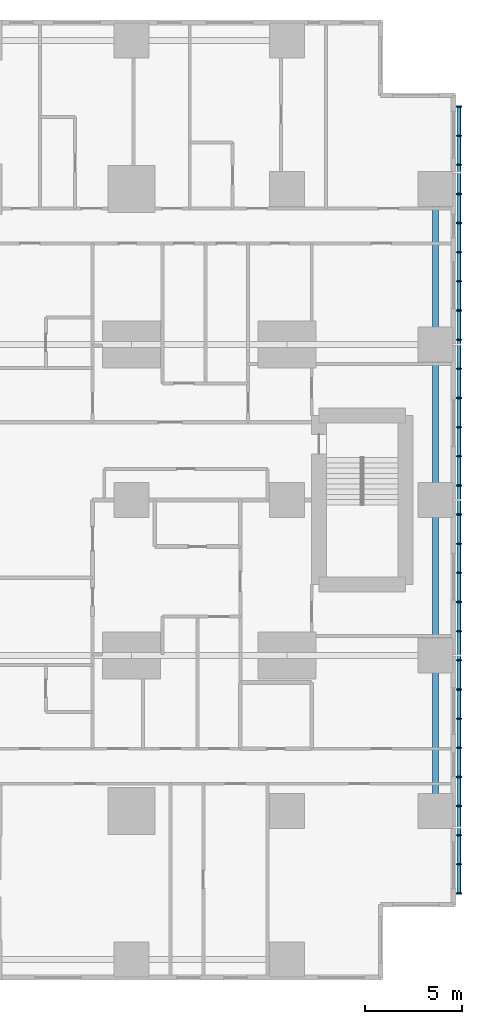
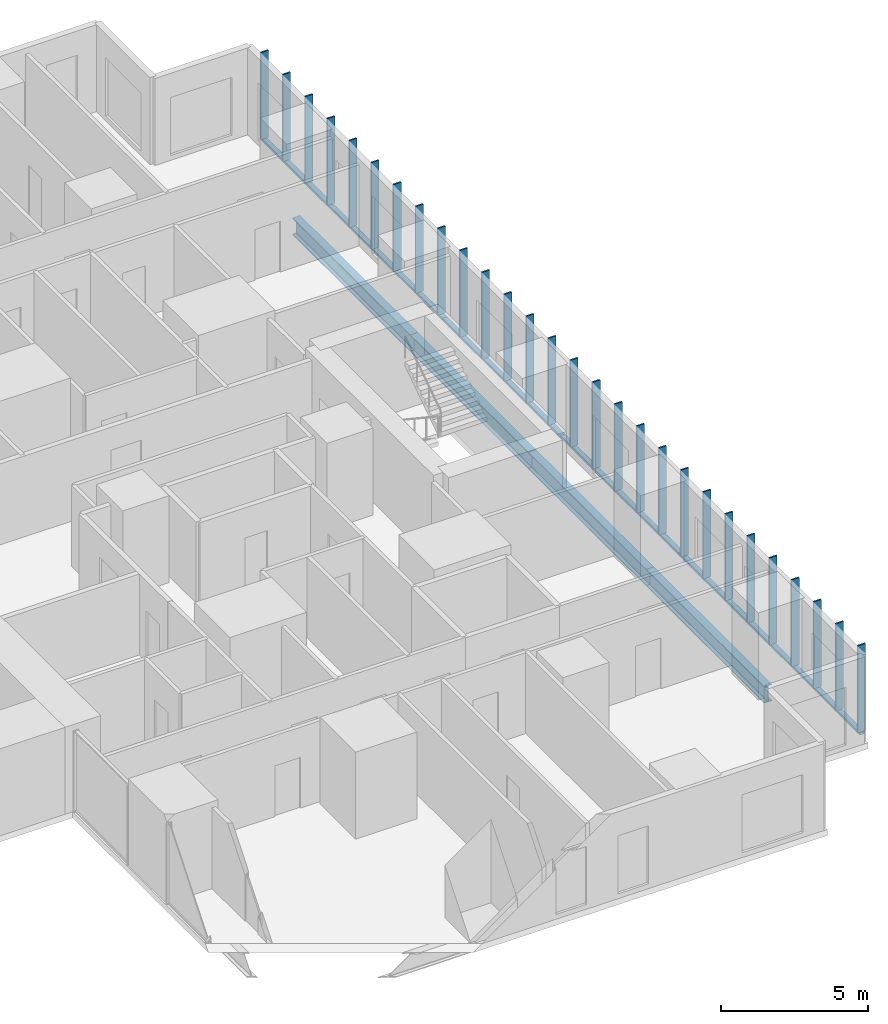
# One storey, part 6 of 20: 32 members, 4 beams.
"""IFC4 building model written with IfcOpenShell, lengths in metres."""

from ifc_helpers import new_model, si_unit, direction, frame, origin, origin_2d, place, context, subcontext, project, spatial, rectangle, hollow_rectangle, i_section, extrude, material, material_profile, profile_set, type_object, element, save


model = new_model("IFC4")

# Units and contexts
model_context = context("Model", 3, precision=1e-05, world=origin(), true_north=direction((0.0, 1.0)))
body_context = subcontext(model_context, "Body", "Model", "MODEL_VIEW")
ifc_project = project(units=[si_unit("LENGTHUNIT", "METRE"), si_unit("AREAUNIT", "SQUARE_METRE"), si_unit("VOLUMEUNIT", "CUBIC_METRE"), si_unit("PLANEANGLEUNIT", "RADIAN"), si_unit("MASSUNIT", "GRAM", prefix="KILO")], contexts=[model_context])

# Site, building, storey
site_placement = place(None, origin())
site = spatial("IfcSite", under=ifc_project, at=site_placement, CompositionType="ELEMENT")
building_placement = place(site_placement, origin())
building = spatial("IfcBuilding", under=site, at=building_placement, Name="Cleftline Residences", CompositionType="ELEMENT")
storey_placement = place(building_placement, frame((0.0, 0.0, 207.39990234375)))
storey = spatial("IfcBuildingStorey", under=building, at=storey_placement, Name="L54", CompositionType="ELEMENT", Elevation=207.39990234375)

# Members
ifc_material_1 = material(Name="Steel S355, hot-dip galvanised", Category="steel")
ifc_material_profile_1 = material_profile(ifc_material_1, hollow_rectangle(XDim=0.10009765625, YDim=0.199951171875, WallThickness=0.008056640625, InnerFilletRadius=0.008056640625, OuterFilletRadius=0.011962890625, at=origin_2d()))
ifc_profile_set_1 = profile_set([ifc_material_profile_1], Name="Steel S355, hot-dip galvanised")
member_type_1 = type_object("IfcMemberType", Name="BAGUETTE CARRIER RHS 200X100X8", PredefinedType="USERDEFINED", material=ifc_profile_set_1)
member_1_placement = place(storey_placement, frame((66.85009765625, 3.699951171875, -0.0498046875), z_axis=(0.0, 1.0, 0.0), x_axis=(0.0, 0.0, 1.0)))
element("IfcMember", 1, at=member_1_placement, inside=storey, type_object=member_type_1, Name="Baguette carrier", ObjectType="BAGUETTE CARRIER", PredefinedType="USERDEFINED", context=body_context, shape_type="SweptSolid", body=[
    extrude(hollow_rectangle(XDim=0.10009765625, YDim=0.199951171875, WallThickness=0.008056640625, InnerFilletRadius=0.008056640625, OuterFilletRadius=0.011962890625, at=origin_2d()), origin(), (0.0, 0.0, 1.0), 12.300048828125),
])
for number, where, z_axis, x_axis, name in (
    (2, (66.85009765625, 16.0, -0.0498046875), (0.0, 1.0, 0.0), (0.0, 0.0, 1.0), "Baguette carrier"),
    (3, (66.85009765625, 24.0, -0.0498046875), (0.0, 1.0, 0.0), (0.0, 0.0, 1.0), "Baguette carrier"),
):
    element("IfcMember", number, at=place(storey_placement, frame(where, z_axis=z_axis, x_axis=x_axis)), inside=storey, type_object=member_type_1, Name=name, ObjectType="BAGUETTE CARRIER", PredefinedType="USERDEFINED", context=body_context, shape_type="SweptSolid", body=[
        extrude(hollow_rectangle(XDim=0.10009765625, YDim=0.199951171875, WallThickness=0.008056640625, InnerFilletRadius=0.008056640625, OuterFilletRadius=0.011962890625, at=origin_2d()), origin(), (0.0, 0.0, 1.0), 8.0),
    ])
member_2_placement = place(storey_placement, frame((66.85009765625, 32.0, -0.0498046875), z_axis=(0.0, 1.0, 0.0), x_axis=(0.0, 0.0, 1.0)))
element("IfcMember", 4, at=member_2_placement, inside=storey, type_object=member_type_1, Name="Baguette carrier", ObjectType="BAGUETTE CARRIER", PredefinedType="USERDEFINED", context=body_context, shape_type="SweptSolid", body=[
    extrude(hollow_rectangle(XDim=0.10009765625, YDim=0.199951171875, WallThickness=0.008056640625, InnerFilletRadius=0.008056640625, OuterFilletRadius=0.011962890625, at=origin_2d()), origin(), (0.0, 0.0, 1.0), 12.300048828125),
])

# Beams
ifc_material_2 = material(Name="Steel S355", Category="steel")
ifc_material_profile_2 = material_profile(ifc_material_2, i_section(OverallWidth=0.300048828125, OverallDepth=0.699951171875, WebThickness=0.01708984375, FlangeThickness=0.031982421875, FilletRadius=0.027099609375, at=origin_2d()))
ifc_profile_set_2 = profile_set([ifc_material_profile_2], Name="Steel S355")
beam_type = type_object("IfcBeamType", Name="BEAM HEB 700", PredefinedType="BEAM", material=ifc_profile_set_2)
for number, where, z_axis, x_axis, name in (
    (5, (65.64990234375, 8.0, -0.599853515625), (0.0, 1.0, 0.0), (-1.0, 0.0, 0.0), "Edge beam"),
    (6, (65.64990234375, 16.0, -0.599853515625), (0.0, 1.0, 0.0), (-1.0, 0.0, 0.0), "Edge beam"),
    (7, (65.64990234375, 24.0, -0.599853515625), (0.0, 1.0, 0.0), (-1.0, 0.0, 0.0), "Edge beam"),
    (8, (65.64990234375, 32.0, -0.599853515625), (0.0, 1.0, 0.0), (-1.0, 0.0, 0.0), "Edge beam"),
):
    element("IfcBeam", number, at=place(storey_placement, frame(where, z_axis=z_axis, x_axis=x_axis)), inside=storey, type_object=beam_type, Name=name, PredefinedType="BEAM", context=body_context, shape_type="SweptSolid", body=[
        extrude(i_section(OverallWidth=0.300048828125, OverallDepth=0.699951171875, WebThickness=0.01708984375, FlangeThickness=0.031982421875, FilletRadius=0.027099609375, at=origin_2d()), origin(), (0.0, 0.0, 1.0), 8.0),
    ])

# Members
ifc_material_3 = material(Name="Extruded terracotta", Category="masonry")
ifc_material_profile_3 = material_profile(ifc_material_3, rectangle(XDim=0.06005859375, YDim=0.300048828125, at=origin_2d()))
ifc_profile_set_3 = profile_set([ifc_material_profile_3], Name="Extruded terracotta")
member_type_2 = type_object("IfcMemberType", Name="TERRACOTTA BAGUETTE 60X300", PredefinedType="USERDEFINED", material=ifc_profile_set_3)
for number, where, z_axis, x_axis, name in (
    (9, (66.85009765625, 3.75, 0.0), (0.0, 0.0, 1.0), (0.0, 1.0, 0.0), "Terracotta baguette"),
    (10, (66.85009765625, 5.25, 0.0), (0.0, 0.0, 1.0), (0.0, 1.0, 0.0), "Terracotta baguette"),
    (11, (66.85009765625, 6.75, 0.0), (0.0, 0.0, 1.0), (0.0, 1.0, 0.0), "Terracotta baguette"),
    (12, (66.85009765625, 8.25, 0.0), (0.0, 0.0, 1.0), (0.0, 1.0, 0.0), "Terracotta baguette"),
    (13, (66.85009765625, 9.75, 0.0), (0.0, 0.0, 1.0), (0.0, 1.0, 0.0), "Terracotta baguette"),
    (14, (66.85009765625, 11.25, 0.0), (0.0, 0.0, 1.0), (0.0, 1.0, 0.0), "Terracotta baguette"),
    (15, (66.85009765625, 12.75, 0.0), (0.0, 0.0, 1.0), (0.0, 1.0, 0.0), "Terracotta baguette"),
    (16, (66.85009765625, 14.25, 0.0), (0.0, 0.0, 1.0), (0.0, 1.0, 0.0), "Terracotta baguette"),
    (17, (66.85009765625, 15.75, 0.0), (0.0, 0.0, 1.0), (0.0, 1.0, 0.0), "Terracotta baguette"),
    (18, (66.85009765625, 17.25, 0.0), (0.0, 0.0, 1.0), (0.0, 1.0, 0.0), "Terracotta baguette"),
    (19, (66.85009765625, 18.75, 0.0), (0.0, 0.0, 1.0), (0.0, 1.0, 0.0), "Terracotta baguette"),
    (20, (66.85009765625, 20.25, 0.0), (0.0, 0.0, 1.0), (0.0, 1.0, 0.0), "Terracotta baguette"),
    (21, (66.85009765625, 21.75, 0.0), (0.0, 0.0, 1.0), (0.0, 1.0, 0.0), "Terracotta baguette"),
    (22, (66.85009765625, 23.25, 0.0), (0.0, 0.0, 1.0), (0.0, 1.0, 0.0), "Terracotta baguette"),
    (23, (66.85009765625, 24.75, 0.0), (0.0, 0.0, 1.0), (0.0, 1.0, 0.0), "Terracotta baguette"),
    (24, (66.85009765625, 26.25, 0.0), (0.0, 0.0, 1.0), (0.0, 1.0, 0.0), "Terracotta baguette"),
    (25, (66.85009765625, 27.75, 0.0), (0.0, 0.0, 1.0), (0.0, 1.0, 0.0), "Terracotta baguette"),
    (26, (66.85009765625, 29.25, 0.0), (0.0, 0.0, 1.0), (0.0, 1.0, 0.0), "Terracotta baguette"),
    (27, (66.85009765625, 30.75, 0.0), (0.0, 0.0, 1.0), (0.0, 1.0, 0.0), "Terracotta baguette"),
    (28, (66.85009765625, 32.25, 0.0), (0.0, 0.0, 1.0), (0.0, 1.0, 0.0), "Terracotta baguette"),
    (29, (66.85009765625, 33.75, 0.0), (0.0, 0.0, 1.0), (0.0, 1.0, 0.0), "Terracotta baguette"),
    (30, (66.85009765625, 35.25, 0.0), (0.0, 0.0, 1.0), (0.0, 1.0, 0.0), "Terracotta baguette"),
    (31, (66.85009765625, 36.75, 0.0), (0.0, 0.0, 1.0), (0.0, 1.0, 0.0), "Terracotta baguette"),
    (32, (66.85009765625, 38.25, 0.0), (0.0, 0.0, 1.0), (0.0, 1.0, 0.0), "Terracotta baguette"),
    (33, (66.85009765625, 39.75, 0.0), (0.0, 0.0, 1.0), (0.0, 1.0, 0.0), "Terracotta baguette"),
    (34, (66.85009765625, 41.25, 0.0), (0.0, 0.0, 1.0), (0.0, 1.0, 0.0), "Terracotta baguette"),
    (35, (66.85009765625, 42.75, 0.0), (0.0, 0.0, 1.0), (0.0, 1.0, 0.0), "Terracotta baguette"),
    (36, (66.85009765625, 44.25, 0.0), (0.0, 0.0, 1.0), (0.0, 1.0, 0.0), "Terracotta baguette"),
):
    element("IfcMember", number, at=place(storey_placement, frame(where, z_axis=z_axis, x_axis=x_axis)), inside=storey, type_object=member_type_2, Name=name, ObjectType="BAGUETTE", PredefinedType="USERDEFINED", context=body_context, shape_type="SweptSolid", body=[
        extrude(rectangle(XDim=0.06005859375, YDim=0.300048828125, at=origin_2d()), origin(), (0.0, 0.0, 1.0), 3.60009765625),
    ])

save(model, "model.ifc")
